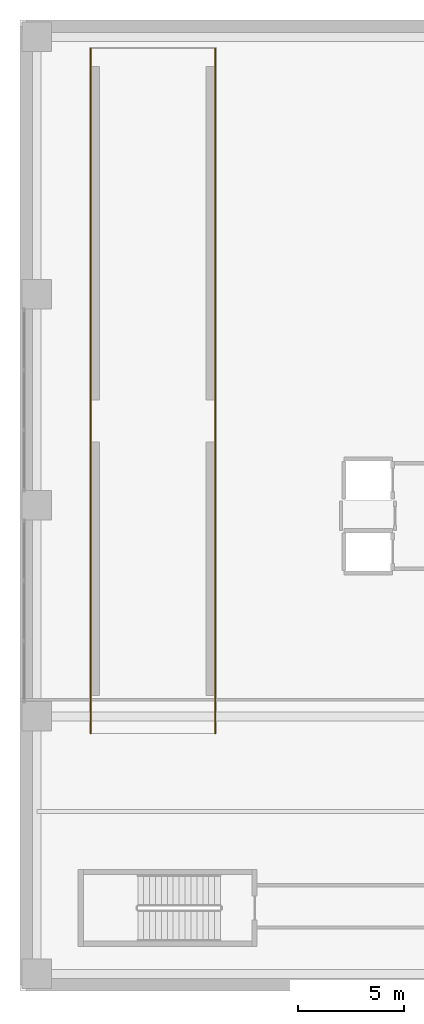
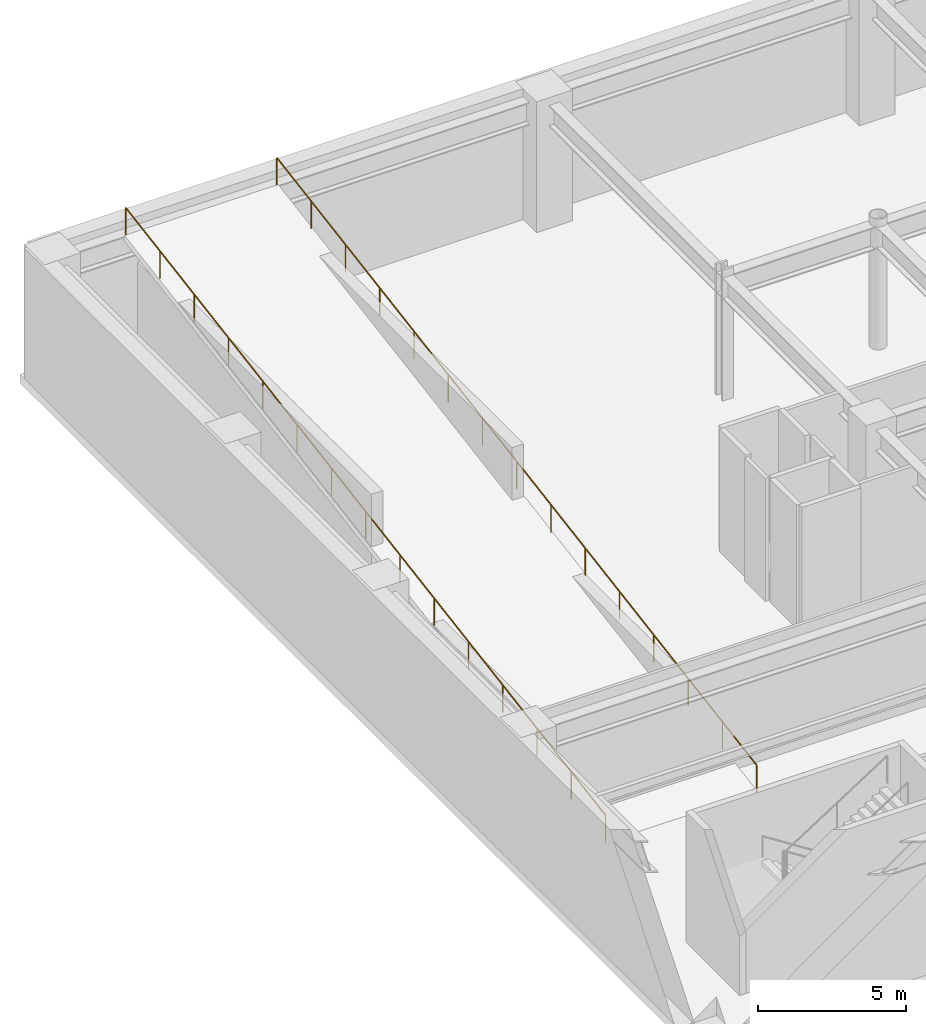
# One storey, part 23 of 25: 2 railings.
"""IFC4 building model written with IfcOpenShell, lengths in metres."""

from ifc_helpers import new_model, si_unit, direction, frame, origin, origin_2d, place, context, subcontext, project, spatial, circle, extrude, material, type_object, element, save


model = new_model("IFC4")

# Units and contexts
model_context = context("Model", 3, precision=1e-05, world=origin(), true_north=direction((0.0, 1.0)))
body_context = subcontext(model_context, "Body", "Model", "MODEL_VIEW")
ifc_project = project(units=[si_unit("LENGTHUNIT", "METRE"), si_unit("AREAUNIT", "SQUARE_METRE"), si_unit("VOLUMEUNIT", "CUBIC_METRE"), si_unit("PLANEANGLEUNIT", "RADIAN"), si_unit("MASSUNIT", "GRAM", prefix="KILO")], contexts=[model_context])

# Site, building, storey
site_placement = place(None, origin())
site = spatial("IfcSite", under=ifc_project, at=site_placement, CompositionType="ELEMENT")
building_placement = place(site_placement, origin())
building = spatial("IfcBuilding", under=site, at=building_placement, Name="Soratama Intermodal Tower", CompositionType="ELEMENT")
storey_placement = place(building_placement, frame((0.0, 0.0, -5.39990234375)))
storey = spatial("IfcBuildingStorey", under=building, at=storey_placement, Name="B1", CompositionType="ELEMENT", Elevation=-5.39990234375)

# Railings
ifc_material = material(Name="Painted steel stair guardrail", Category="steel")
railing_type = type_object("IfcRailingType", Name="RL-STAIR-GUARD", PredefinedType="GUARDRAIL", material=ifc_material)
railing_1_placement = place(storey_placement, frame((9.25, 14.199951171875, 0.0)))
element("IfcRailing", 1, at=railing_1_placement, inside=storey, type_object=railing_type, Name="B1 Vehicle Ramp East Guardrail", PredefinedType="GUARDRAIL", context=body_context, shape_type="SweptSolid", body=[
    extrude(circle(Radius=0.02392578125, at=origin_2d()), frame((0.0, 0.0, 1.1259765625), z_axis=(0.0, 0.98643541294, 0.164149858657), x_axis=(-1.0, 0.0, 0.0)), (0.0, 0.0, 1.0), 32.896240234375),
    extrude(circle(Radius=0.02099609375, at=origin_2d()), origin(), (0.0, 0.0, 1.0), 1.101806640625),
    extrude(circle(Radius=0.02099609375, at=origin_2d()), frame((0.0, 2.31787109375, 0.3857421875)), (0.0, 0.0, 1.0), 1.101806640625),
    extrude(circle(Radius=0.02099609375, at=origin_2d()), frame((0.0, 4.6357421875, 0.771484375)), (0.0, 0.0, 1.0), 1.101806640625),
    extrude(circle(Radius=0.02099609375, at=origin_2d()), frame((0.0, 6.95361328125, 1.1572265625)), (0.0, 0.0, 1.0), 1.101806640625),
    extrude(circle(Radius=0.02099609375, at=origin_2d()), frame((0.0, 9.271484375, 1.542724609375)), (0.0, 0.0, 1.0), 1.101806640625),
    extrude(circle(Radius=0.02099609375, at=origin_2d()), frame((0.0, 11.58935546875, 1.928466796875)), (0.0, 0.0, 1.0), 1.101806640625),
    extrude(circle(Radius=0.02099609375, at=origin_2d()), frame((0.0, 13.9072265625, 2.314208984375)), (0.0, 0.0, 1.0), 1.101806640625),
    extrude(circle(Radius=0.02099609375, at=origin_2d()), frame((0.0, 16.22509765625, 2.699951171875)), (0.0, 0.0, 1.0), 1.101806640625),
    extrude(circle(Radius=0.02099609375, at=origin_2d()), frame((0.0, 18.542724609375, 3.085693359375)), (0.0, 0.0, 1.0), 1.101806640625),
    extrude(circle(Radius=0.02099609375, at=origin_2d()), frame((0.0, 20.860595703125, 3.471435546875)), (0.0, 0.0, 1.0), 1.101806640625),
    extrude(circle(Radius=0.02099609375, at=origin_2d()), frame((0.0, 23.178466796875, 3.857177734375)), (0.0, 0.0, 1.0), 1.101806640625),
    extrude(circle(Radius=0.02099609375, at=origin_2d()), frame((0.0, 25.496337890625, 4.24267578125)), (0.0, 0.0, 1.0), 1.101806640625),
    extrude(circle(Radius=0.02099609375, at=origin_2d()), frame((0.0, 27.814208984375, 4.62841796875)), (0.0, 0.0, 1.0), 1.101806640625),
    extrude(circle(Radius=0.02099609375, at=origin_2d()), frame((0.0, 30.132080078125, 5.01416015625)), (0.0, 0.0, 1.0), 1.101806640625),
    extrude(circle(Radius=0.02099609375, at=origin_2d()), frame((0.0, 32.449951171875, 5.39990234375)), (0.0, 0.0, 1.0), 1.101806640625),
])
railing_2_placement = place(storey_placement, frame((3.35009765625, 14.199951171875, 0.0)))
element("IfcRailing", 2, at=railing_2_placement, inside=storey, type_object=railing_type, Name="B1 Vehicle Ramp West Guardrail", PredefinedType="GUARDRAIL", context=body_context, shape_type="SweptSolid", body=[
    extrude(circle(Radius=0.02392578125, at=origin_2d()), frame((0.0, 0.0, 1.1259765625), z_axis=(0.0, 0.98643541294, 0.164149858657), x_axis=(-1.0, 0.0, 0.0)), (0.0, 0.0, 1.0), 32.896240234375),
    extrude(circle(Radius=0.02099609375, at=origin_2d()), origin(), (0.0, 0.0, 1.0), 1.101806640625),
    extrude(circle(Radius=0.02099609375, at=origin_2d()), frame((0.0, 2.31787109375, 0.3857421875)), (0.0, 0.0, 1.0), 1.101806640625),
    extrude(circle(Radius=0.02099609375, at=origin_2d()), frame((0.0, 4.6357421875, 0.771484375)), (0.0, 0.0, 1.0), 1.101806640625),
    extrude(circle(Radius=0.02099609375, at=origin_2d()), frame((0.0, 6.95361328125, 1.1572265625)), (0.0, 0.0, 1.0), 1.101806640625),
    extrude(circle(Radius=0.02099609375, at=origin_2d()), frame((0.0, 9.271484375, 1.542724609375)), (0.0, 0.0, 1.0), 1.101806640625),
    extrude(circle(Radius=0.02099609375, at=origin_2d()), frame((0.0, 11.58935546875, 1.928466796875)), (0.0, 0.0, 1.0), 1.101806640625),
    extrude(circle(Radius=0.02099609375, at=origin_2d()), frame((0.0, 13.9072265625, 2.314208984375)), (0.0, 0.0, 1.0), 1.101806640625),
    extrude(circle(Radius=0.02099609375, at=origin_2d()), frame((0.0, 16.22509765625, 2.699951171875)), (0.0, 0.0, 1.0), 1.101806640625),
    extrude(circle(Radius=0.02099609375, at=origin_2d()), frame((0.0, 18.542724609375, 3.085693359375)), (0.0, 0.0, 1.0), 1.101806640625),
    extrude(circle(Radius=0.02099609375, at=origin_2d()), frame((0.0, 20.860595703125, 3.471435546875)), (0.0, 0.0, 1.0), 1.101806640625),
    extrude(circle(Radius=0.02099609375, at=origin_2d()), frame((0.0, 23.178466796875, 3.857177734375)), (0.0, 0.0, 1.0), 1.101806640625),
    extrude(circle(Radius=0.02099609375, at=origin_2d()), frame((0.0, 25.496337890625, 4.24267578125)), (0.0, 0.0, 1.0), 1.101806640625),
    extrude(circle(Radius=0.02099609375, at=origin_2d()), frame((0.0, 27.814208984375, 4.62841796875)), (0.0, 0.0, 1.0), 1.101806640625),
    extrude(circle(Radius=0.02099609375, at=origin_2d()), frame((0.0, 30.132080078125, 5.01416015625)), (0.0, 0.0, 1.0), 1.101806640625),
    extrude(circle(Radius=0.02099609375, at=origin_2d()), frame((0.0, 32.449951171875, 5.39990234375)), (0.0, 0.0, 1.0), 1.101806640625),
])

save(model, "model.ifc")
